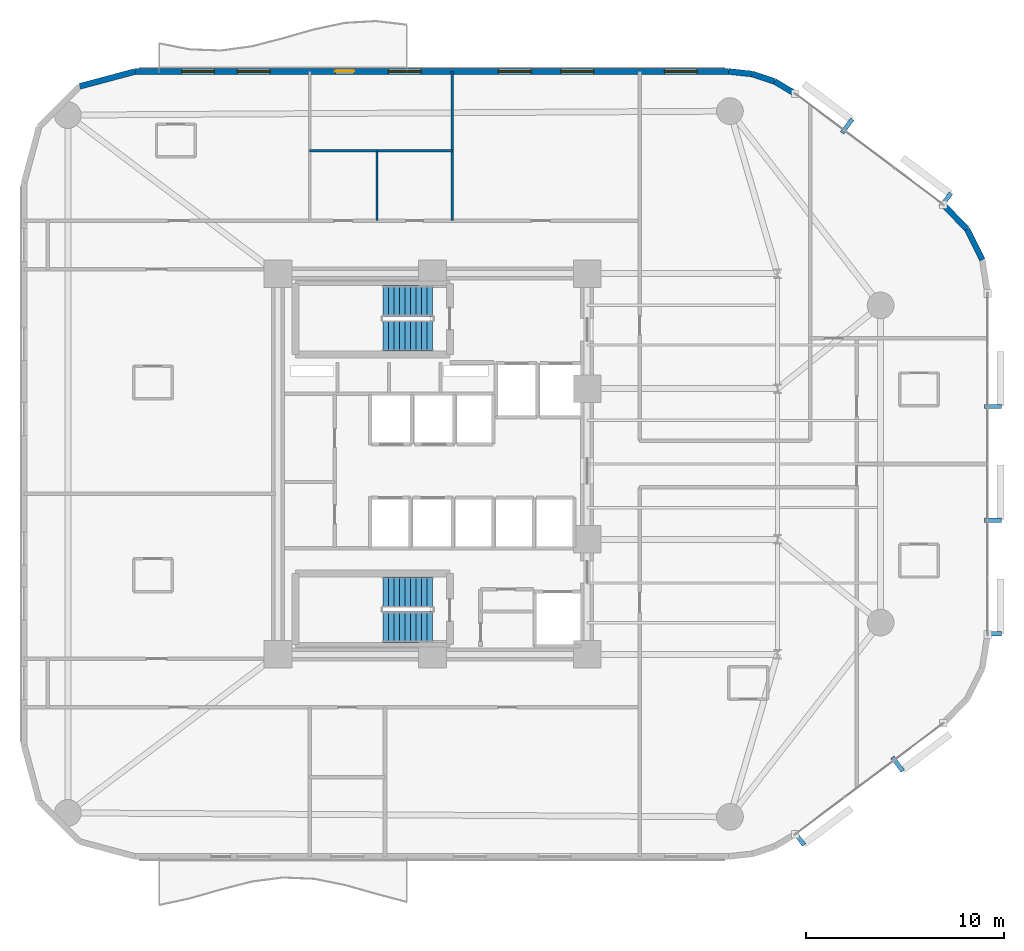
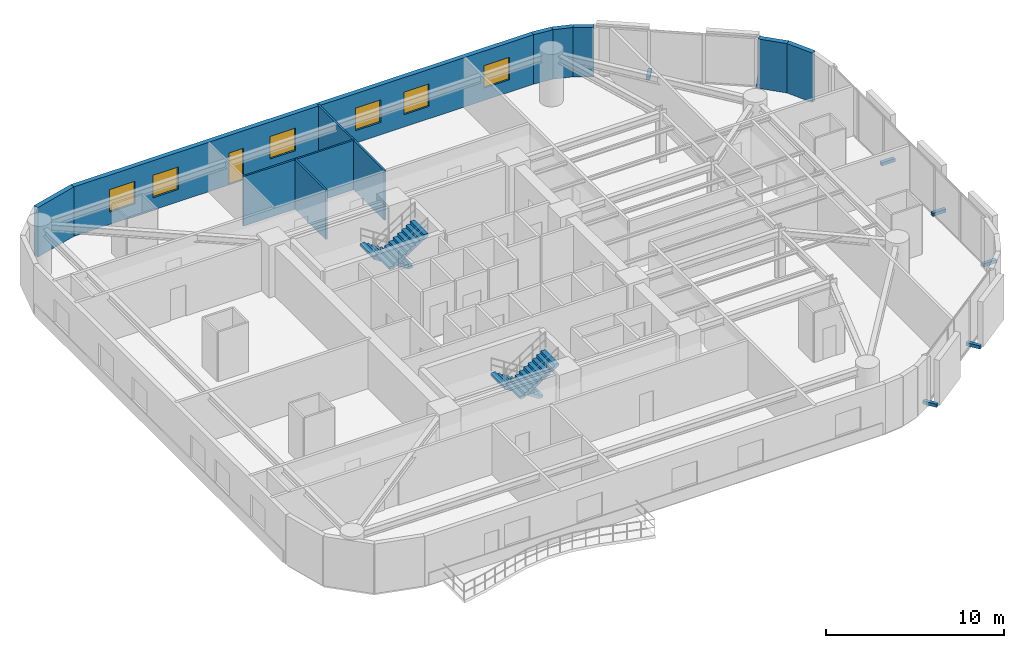
# One storey, part 13 of 16: 10 walls, 7 discrete accessories, 6 windows, 4 stair flights, 1 door, 7 openings, 2 elements without a shape of their own.
"""IFC4 building model written with IfcOpenShell, lengths in metres."""

from ifc_helpers import new_model, si_unit, direction, frame, frame_2d, origin, origin_2d, place, context, subcontext, project, spatial, polyline, rectangle, outline, extrude, material, layer, layer_set, type_object, element, fill, aggregate, save


model = new_model("IFC4")

# Units and contexts
model_context = context("Model", 3, precision=1e-05, world=origin(), true_north=direction((0.0, 1.0)))
body_context = subcontext(model_context, "Body", "Model", "MODEL_VIEW")
ifc_project = project(units=[si_unit("LENGTHUNIT", "METRE"), si_unit("AREAUNIT", "SQUARE_METRE"), si_unit("VOLUMEUNIT", "CUBIC_METRE"), si_unit("PLANEANGLEUNIT", "RADIAN"), si_unit("MASSUNIT", "GRAM", prefix="KILO")], contexts=[model_context])

# Site, building, storey
site_placement = place(None, origin())
site = spatial("IfcSite", under=ifc_project, at=site_placement, CompositionType="ELEMENT")
building_placement = place(site_placement, origin())
building = spatial("IfcBuilding", under=site, at=building_placement, Name="An Khanh Terracotta Commons", CompositionType="ELEMENT")
storey_placement = place(building_placement, frame((0.0, 0.0, 100.699951171875)))
storey = spatial("IfcBuildingStorey", under=building, at=storey_placement, Name="L26", CompositionType="ELEMENT", Elevation=100.699951171875)

# Walls
ifc_material_1 = material(Name="Precast concrete C40/50", Category="concrete")
ifc_layer_1 = layer(ifc_material_1, 0.300048828125, Name="Precast concrete C40/50")
ifc_layer_set_1 = layer_set([ifc_layer_1], Name="Precast concrete C40/50")
wall_type_1 = type_object("IfcWallType", Name="WALL-EXT-300", PredefinedType="SOLIDWALL", material=ifc_layer_set_1)
for number, where, z_axis, x_axis, name in (
    (1, (57.135009765625, 34.303955078125, 0.0), (0.0, 0.0, 1.0), (-0.4472135955, 0.894427191, 0.0), "L26 Insulated Terracotta Exterior Wall 14"),
    (2, (56.364013671875, 35.845947265625, 0.0), (0.0, 0.0, 1.0), (-0.6983450845, 0.715761233201, 0.0), "L26 Insulated Terracotta Exterior Wall 15"),
):
    element("IfcWall", number, at=place(storey_placement, frame(where, z_axis=z_axis, x_axis=x_axis)), inside=storey, type_object=wall_type_1, Name=name, PredefinedType="SOLIDWALL", context=body_context, shape_type="SweptSolid", body=[
        extrude(rectangle(XDim=1.72412109375, YDim=0.300048828125, at=frame_2d((0.862060546875, 0.0))), origin(), (0.0, 0.0, 1.0), 3.400146484375),
    ])
wall_1_placement = place(storey_placement, frame((47.693115234375, 42.679931640625, 0.0), z_axis=(0.0, 0.0, 1.0), x_axis=(-0.859320591642, 0.511437308749, 0.0)))
element("IfcWall", 3, at=wall_1_placement, inside=storey, type_object=wall_type_1, Name="L26 Insulated Terracotta Exterior Wall 17", PredefinedType="SOLIDWALL", context=body_context, shape_type="SweptSolid", body=[
    extrude(rectangle(XDim=1.19873046875, YDim=0.300048828125, at=frame_2d((0.599365234375, 0.0))), origin(), (0.0, 0.0, 1.0), 3.400146484375),
])
wall_2_placement = place(storey_placement, frame((46.6630859375, 43.29296875, 0.0), z_axis=(0.0, 0.0, 1.0), x_axis=(-0.948744332129, 0.316044604847, 0.0)))
element("IfcWall", 4, at=wall_2_placement, inside=storey, type_object=wall_type_1, Name="L26 Insulated Terracotta Exterior Wall 18", PredefinedType="SOLIDWALL", context=body_context, shape_type="SweptSolid", body=[
    extrude(rectangle(XDim=1.19970703125, YDim=0.300048828125, at=frame_2d((0.599853515625, 0.0))), origin(), (0.0, 0.0, 1.0), 3.400146484375),
])
wall_3_placement = place(storey_placement, frame((45.52490234375, 43.672119140625, 0.0), z_axis=(0.0, 0.0, 1.0), x_axis=(-0.994289103787, 0.106720092254, 0.0)))
element("IfcWall", 5, at=wall_3_placement, inside=storey, type_object=wall_type_1, Name="L26 Insulated Terracotta Exterior Wall 19", PredefinedType="SOLIDWALL", context=body_context, shape_type="SweptSolid", body=[
    extrude(rectangle(XDim=1.19873046875, YDim=0.300048828125, at=frame_2d((0.599365234375, 0.0))), origin(), (0.0, 0.0, 1.0), 3.400146484375),
])

# Wall, openings, door, windows
wall_4_placement = place(storey_placement, frame((44.3330078125, 43.800048828125, 0.0), z_axis=(0.0, 0.0, 1.0), x_axis=(-1.0, 0.0, 0.0)))
wall_4 = element("IfcWall", 6, at=wall_4_placement, inside=storey, type_object=wall_type_1, Name="L26 Insulated Terracotta Exterior Wall 20", PredefinedType="SOLIDWALL", context=body_context, shape_type="SweptSolid", body=[
    extrude(rectangle(XDim=29.93310546875, YDim=0.300048828125, at=frame_2d((14.966552734375, 0.0))), origin(), (0.0, 0.0, 1.0), 3.400146484375),
])
opening_1_placement = place(wall_4_placement, frame((18.883056640625, 0.0, 0.0)))
opening_1 = element("IfcOpeningElement", 7, at=opening_1_placement, cuts=wall_4, Name="Opening D-BAL", PredefinedType="OPENING", context=body_context, shape_type="SweptSolid", body=[
    extrude(rectangle(XDim=0.949951171875, YDim=2.199951171875, at=frame_2d((0.47509765625, 1.10009765625))), frame((0.0, 0.159912109375, 0.0), z_axis=(0.0, -1.0, 0.0), x_axis=(1.0, 0.0, 0.0)), (0.0, 0.0, 1.0), 0.320068359375),
])
opening_2_placement = place(wall_4_placement, frame((1.591064453125, 0.0, 0.85009765625)))
opening_2 = element("IfcOpeningElement", 8, at=opening_2_placement, cuts=wall_4, Name="Opening W-02", PredefinedType="OPENING", context=body_context, shape_type="SweptSolid", body=[
    extrude(rectangle(XDim=1.64990234375, YDim=1.550048828125, at=frame_2d((0.824951171875, 0.77490234375))), frame((0.0, 0.159912109375, 0.0), z_axis=(0.0, -1.0, 0.0), x_axis=(1.0, 0.0, 0.0)), (0.0, 0.0, 1.0), 0.320068359375),
])
opening_3_placement = place(wall_4_placement, frame((6.80810546875, 0.0, 0.85009765625)))
opening_3 = element("IfcOpeningElement", 9, at=opening_3_placement, cuts=wall_4, Name="Opening W-02", PredefinedType="OPENING", context=body_context, shape_type="SweptSolid", body=[
    extrude(rectangle(XDim=1.64990234375, YDim=1.550048828125, at=frame_2d((0.824951171875, 0.77490234375))), frame((0.0, 0.159912109375, 0.0), z_axis=(0.0, -1.0, 0.0), x_axis=(1.0, 0.0, 0.0)), (0.0, 0.0, 1.0), 0.320068359375),
])
opening_4_placement = place(wall_4_placement, frame((9.9580078125, 0.0, 0.85009765625)))
opening_4 = element("IfcOpeningElement", 10, at=opening_4_placement, cuts=wall_4, Name="Opening W-02", PredefinedType="OPENING", context=body_context, shape_type="SweptSolid", body=[
    extrude(rectangle(XDim=1.64990234375, YDim=1.550048828125, at=frame_2d((0.824951171875, 0.77490234375))), frame((0.0, 0.159912109375, 0.0), z_axis=(0.0, -1.0, 0.0), x_axis=(1.0, 0.0, 0.0)), (0.0, 0.0, 1.0), 0.320068359375),
])
opening_5_placement = place(wall_4_placement, frame((15.508056640625, 0.0, 0.85009765625)))
opening_5 = element("IfcOpeningElement", 11, at=opening_5_placement, cuts=wall_4, Name="Opening W-02", PredefinedType="OPENING", context=body_context, shape_type="SweptSolid", body=[
    extrude(rectangle(XDim=1.64990234375, YDim=1.550048828125, at=frame_2d((0.824951171875, 0.77490234375))), frame((0.0, 0.159912109375, 0.0), z_axis=(0.0, -1.0, 0.0), x_axis=(1.0, 0.0, 0.0)), (0.0, 0.0, 1.0), 0.320068359375),
])
opening_6_placement = place(wall_4_placement, frame((23.125, 0.0, 0.85009765625)))
opening_6 = element("IfcOpeningElement", 12, at=opening_6_placement, cuts=wall_4, Name="Opening W-02", PredefinedType="OPENING", context=body_context, shape_type="SweptSolid", body=[
    extrude(rectangle(XDim=1.64990234375, YDim=1.550048828125, at=frame_2d((0.824951171875, 0.77490234375))), frame((0.0, 0.159912109375, 0.0), z_axis=(0.0, -1.0, 0.0), x_axis=(1.0, 0.0, 0.0)), (0.0, 0.0, 1.0), 0.320068359375),
])
opening_7_placement = place(wall_4_placement, frame((25.94091796875, 0.0, 0.85009765625)))
opening_7 = element("IfcOpeningElement", 13, at=opening_7_placement, cuts=wall_4, Name="Opening W-02", PredefinedType="OPENING", context=body_context, shape_type="SweptSolid", body=[
    extrude(rectangle(XDim=1.64990234375, YDim=1.550048828125, at=frame_2d((0.824951171875, 0.77490234375))), frame((0.0, 0.159912109375, 0.0), z_axis=(0.0, -1.0, 0.0), x_axis=(1.0, 0.0, 0.0)), (0.0, 0.0, 1.0), 0.320068359375),
])
ifc_material_2 = material(Name="Thermally Broken Aluminium and Low-E Glass", Category="aluminium")
door_type = type_object("IfcDoorType", Name="DOOR-BALC-950", OperationType="NOTDEFINED", PredefinedType="DOOR", material=ifc_material_2)
door_placement = place(opening_1_placement, origin())
door = element("IfcDoor", 14, at=door_placement, inside=storey, type_object=door_type, Name="L26 N Wave Balcony Glazed Door", OperationType="SINGLE_SWING_RIGHT", OverallHeight=2.199951171875, OverallWidth=0.949951171875, PredefinedType="DOOR", context=body_context, shape_type="SweptSolid", body=[
    extrude(rectangle(XDim=0.949951171875, YDim=2.199951171875, at=frame_2d((0.47509765625, 1.10009765625))), frame((0.0, 0.02490234375, 0.0), z_axis=(0.0, -1.0, 0.0), x_axis=(1.0, 0.0, 0.0)), (0.0, 0.0, 1.0), 0.050048828125),
])
fill(opening_1, door)
window_type = type_object("IfcWindowType", Name="WIN-Z2-1650x1550", PartitioningType="DOUBLE_PANEL_VERTICAL", PredefinedType="WINDOW", material=ifc_material_2)
window_1_placement = place(opening_2_placement, origin())
window_1 = element("IfcWindow", 15, at=window_1_placement, inside=storey, type_object=window_type, Name="L26 Operable Casement Window 20.1", OverallHeight=1.550048828125, OverallWidth=1.64990234375, PartitioningType="DOUBLE_PANEL_VERTICAL", PredefinedType="WINDOW", context=body_context, shape_type="SweptSolid", body=[
    extrude(rectangle(XDim=1.64990234375, YDim=1.550048828125, at=frame_2d((0.824951171875, 0.77490234375))), frame((0.0, 0.030029296875, 0.0), z_axis=(0.0, -1.0, 0.0), x_axis=(1.0, 0.0, 0.0)), (0.0, 0.0, 1.0), 0.06005859375),
])
fill(opening_2, window_1)
window_2_placement = place(opening_3_placement, origin())
window_2 = element("IfcWindow", 16, at=window_2_placement, inside=storey, type_object=window_type, Name="L26 Operable Casement Window 20.2", OverallHeight=1.550048828125, OverallWidth=1.64990234375, PartitioningType="DOUBLE_PANEL_VERTICAL", PredefinedType="WINDOW", context=body_context, shape_type="SweptSolid", body=[
    extrude(rectangle(XDim=1.64990234375, YDim=1.550048828125, at=frame_2d((0.824951171875, 0.77490234375))), frame((0.0, 0.030029296875, 0.0), z_axis=(0.0, -1.0, 0.0), x_axis=(1.0, 0.0, 0.0)), (0.0, 0.0, 1.0), 0.06005859375),
])
fill(opening_3, window_2)
window_3_placement = place(opening_4_placement, origin())
window_3 = element("IfcWindow", 17, at=window_3_placement, inside=storey, type_object=window_type, Name="L26 Operable Casement Window 20.3", OverallHeight=1.550048828125, OverallWidth=1.64990234375, PartitioningType="DOUBLE_PANEL_VERTICAL", PredefinedType="WINDOW", context=body_context, shape_type="SweptSolid", body=[
    extrude(rectangle(XDim=1.64990234375, YDim=1.550048828125, at=frame_2d((0.824951171875, 0.77490234375))), frame((0.0, 0.030029296875, 0.0), z_axis=(0.0, -1.0, 0.0), x_axis=(1.0, 0.0, 0.0)), (0.0, 0.0, 1.0), 0.06005859375),
])
fill(opening_4, window_3)
window_4_placement = place(opening_5_placement, origin())
window_4 = element("IfcWindow", 18, at=window_4_placement, inside=storey, type_object=window_type, Name="L26 Operable Casement Window 20.4", OverallHeight=1.550048828125, OverallWidth=1.64990234375, PartitioningType="DOUBLE_PANEL_VERTICAL", PredefinedType="WINDOW", context=body_context, shape_type="SweptSolid", body=[
    extrude(rectangle(XDim=1.64990234375, YDim=1.550048828125, at=frame_2d((0.824951171875, 0.77490234375))), frame((0.0, 0.030029296875, 0.0), z_axis=(0.0, -1.0, 0.0), x_axis=(1.0, 0.0, 0.0)), (0.0, 0.0, 1.0), 0.06005859375),
])
fill(opening_5, window_4)
window_5_placement = place(opening_6_placement, origin())
window_5 = element("IfcWindow", 19, at=window_5_placement, inside=storey, type_object=window_type, Name="L26 Operable Casement Window 20.5", OverallHeight=1.550048828125, OverallWidth=1.64990234375, PartitioningType="DOUBLE_PANEL_VERTICAL", PredefinedType="WINDOW", context=body_context, shape_type="SweptSolid", body=[
    extrude(rectangle(XDim=1.64990234375, YDim=1.550048828125, at=frame_2d((0.824951171875, 0.77490234375))), frame((0.0, 0.030029296875, 0.0), z_axis=(0.0, -1.0, 0.0), x_axis=(1.0, 0.0, 0.0)), (0.0, 0.0, 1.0), 0.06005859375),
])
fill(opening_6, window_5)
window_6_placement = place(opening_7_placement, origin())
window_6 = element("IfcWindow", 20, at=window_6_placement, inside=storey, type_object=window_type, Name="L26 Operable Casement Window 20.6", OverallHeight=1.550048828125, OverallWidth=1.64990234375, PartitioningType="DOUBLE_PANEL_VERTICAL", PredefinedType="WINDOW", context=body_context, shape_type="SweptSolid", body=[
    extrude(rectangle(XDim=1.64990234375, YDim=1.550048828125, at=frame_2d((0.824951171875, 0.77490234375))), frame((0.0, 0.030029296875, 0.0), z_axis=(0.0, -1.0, 0.0), x_axis=(1.0, 0.0, 0.0)), (0.0, 0.0, 1.0), 0.06005859375),
])
fill(opening_7, window_6)

# Walls
wall_5_placement = place(storey_placement, frame((14.39990234375, 43.800048828125, 0.0), z_axis=(0.0, 0.0, 1.0), x_axis=(-0.965943540406, -0.258752926066, 0.0)))
element("IfcWall", 21, at=wall_5_placement, inside=storey, type_object=wall_type_1, Name="L26 Insulated Terracotta Exterior Wall 21", PredefinedType="SOLIDWALL", context=body_context, shape_type="SweptSolid", body=[
    extrude(rectangle(XDim=2.8984375, YDim=0.300048828125, at=frame_2d((1.44921875, 0.0))), origin(), (0.0, 0.0, 1.0), 3.400146484375),
])
ifc_material_3 = material(Name="Moisture-Resistant Cement Board Partition")
ifc_layer_2 = layer(ifc_material_3, 0.1201171875, Name="Moisture-Resistant Cement Board Partition")
ifc_layer_set_2 = layer_set([ifc_layer_2], Name="Moisture-Resistant Cement Board Partition")
wall_type_2 = type_object("IfcWallType", Name="WALL-WET-120", PredefinedType="PARTITIONING", material=ifc_layer_set_2)
wall_6_placement = place(storey_placement, frame((23.199951171875, 39.800048828125, 0.0), z_axis=(0.0, 0.0, 1.0), x_axis=(1.0, 0.0, 0.0)))
element("IfcWall", 22, at=wall_6_placement, inside=storey, type_object=wall_type_2, Name="L26 Interior Partition IW-L26-E011", PredefinedType="PARTITIONING", context=body_context, shape_type="SweptSolid", body=[
    extrude(rectangle(XDim=7.199951171875, YDim=0.1201171875, at=frame_2d((3.60009765625, 0.0))), origin(), (0.0, 0.0, 1.0), 3.400146484375),
])
wall_7_placement = place(storey_placement, frame((26.60009765625, 36.280029296875, 0.0), z_axis=(0.0, 0.0, 1.0), x_axis=(0.0, 1.0, 0.0)))
element("IfcWall", 23, at=wall_7_placement, inside=storey, type_object=wall_type_2, Name="L26 Interior Partition IW-L26-E016", PredefinedType="PARTITIONING", context=body_context, shape_type="SweptSolid", body=[
    extrude(rectangle(XDim=3.52001953125, YDim=0.1201171875, at=frame_2d((1.760009765625, 0.0))), origin(), (0.0, 0.0, 1.0), 3.400146484375),
])
wall_8_placement = place(storey_placement, frame((30.39990234375, 36.280029296875, 0.0), z_axis=(0.0, 0.0, 1.0), x_axis=(0.0, 1.0, 0.0)))
element("IfcWall", 24, at=wall_8_placement, inside=storey, type_object=wall_type_2, Name="L26 Interior Partition IW-L26-E018", PredefinedType="PARTITIONING", context=body_context, shape_type="SweptSolid", body=[
    extrude(rectangle(XDim=7.52001953125, YDim=0.1201171875, at=frame_2d((3.760009765625, 0.0))), origin(), (0.0, 0.0, 1.0), 3.400146484375),
])

# Stair, stair flights
stair_type = type_object("IfcStairType", Name="STAIR-CORE-1550", PredefinedType="HALF_TURN_STAIR", material=ifc_material_1)
stair_1_placement = place(storey_placement, origin())
stair_1 = element("IfcStair", 25, at=stair_1_placement, inside=storey, type_object=stair_type, Name="L26 Core Smokeproof Exit Stair ST-01", PredefinedType="HALF_TURN_STAIR")
stair_flight_type = type_object("IfcStairFlightType", Name="FLIGHT-CORE-1550", PredefinedType="STRAIGHT", material=ifc_material_1)
stair_flight_1_placement = place(storey_placement, frame((29.409912109375, 32.22509765625, 0.0), z_axis=(0.0, 0.0, 1.0), x_axis=(-1.0, 0.0, 0.0)))
stair_flight_1 = element("IfcStairFlight", 26, at=stair_flight_1_placement, type_object=stair_flight_type, Name="ST-01 flight 1", NumberOfRisers=10, NumberOfTreads=9, PredefinedType="STRAIGHT", RiserHeight=0.18, TreadLength=0.28, context=body_context, shape_type="SweptSolid", body=[
    extrude(outline(polyline([(0.0, 0.0), (0.0, 0.179931640625), (0.280029296875, 0.179931640625), (0.280029296875, 0.360107421875), (0.56005859375, 0.360107421875), (0.56005859375, 0.5400390625), (0.840087890625, 0.5400390625), (0.840087890625, 0.719970703125), (1.1201171875, 0.719970703125), (1.1201171875, 0.89990234375), (1.39990234375, 0.89990234375), (1.39990234375, 1.080078125), (1.679931640625, 1.080078125), (1.679931640625, 1.260009765625), (1.9599609375, 1.260009765625), (1.9599609375, 1.43994140625), (2.239990234375, 1.43994140625), (2.239990234375, 1.6201171875), (2.52001953125, 1.6201171875), (2.52001953125, 1.800048828125), (2.52001953125, 1.44189453125), (0.277099609375, 0.0), (0.0, 0.0)])), frame((0.0, 0.77490234375, 0.0), z_axis=(0.0, -1.0, 0.0), x_axis=(1.0, 0.0, 0.0)), (0.0, 0.0, 1.0), 1.550048828125),
])
stair_flight_2_placement = place(storey_placement, frame((26.889892578125, 30.47509765625, 1.800048828125), z_axis=(0.0, 0.0, 1.0), x_axis=(1.0, 0.0, 0.0)))
stair_flight_2 = element("IfcStairFlight", 27, at=stair_flight_2_placement, type_object=stair_flight_type, Name="ST-01 flight 2", NumberOfRisers=10, NumberOfTreads=9, PredefinedType="STRAIGHT", RiserHeight=0.18, TreadLength=0.28, context=body_context, shape_type="SweptSolid", body=[
    extrude(outline(polyline([(0.0, 0.0), (0.0, 0.179931640625), (0.280029296875, 0.179931640625), (0.280029296875, 0.360107421875), (0.56005859375, 0.360107421875), (0.56005859375, 0.5400390625), (0.840087890625, 0.5400390625), (0.840087890625, 0.719970703125), (1.1201171875, 0.719970703125), (1.1201171875, 0.89990234375), (1.39990234375, 0.89990234375), (1.39990234375, 1.080078125), (1.679931640625, 1.080078125), (1.679931640625, 1.260009765625), (1.9599609375, 1.260009765625), (1.9599609375, 1.43994140625), (2.239990234375, 1.43994140625), (2.239990234375, 1.6201171875), (2.52001953125, 1.6201171875), (2.52001953125, 1.800048828125), (2.52001953125, 1.44189453125), (0.277099609375, 0.0), (0.0, 0.0)])), frame((0.0, 0.77490234375, 0.0), z_axis=(0.0, -1.0, 0.0), x_axis=(1.0, 0.0, 0.0)), (0.0, 0.0, 1.0), 1.550048828125),
])
aggregate(stair_1, [stair_flight_1, stair_flight_2])

stair_2_placement = place(storey_placement, origin())
stair_2 = element("IfcStair", 28, at=stair_2_placement, inside=storey, type_object=stair_type, Name="L26 Core Smokeproof Exit Stair ST-02", PredefinedType="HALF_TURN_STAIR")
stair_flight_3_placement = place(storey_placement, frame((29.409912109375, 17.52490234375, 0.0), z_axis=(0.0, 0.0, 1.0), x_axis=(-1.0, 0.0, 0.0)))
stair_flight_3 = element("IfcStairFlight", 29, at=stair_flight_3_placement, type_object=stair_flight_type, Name="ST-02 flight 1", NumberOfRisers=10, NumberOfTreads=9, PredefinedType="STRAIGHT", RiserHeight=0.18, TreadLength=0.28, context=body_context, shape_type="SweptSolid", body=[
    extrude(outline(polyline([(0.0, 0.0), (0.0, 0.179931640625), (0.280029296875, 0.179931640625), (0.280029296875, 0.360107421875), (0.56005859375, 0.360107421875), (0.56005859375, 0.5400390625), (0.840087890625, 0.5400390625), (0.840087890625, 0.719970703125), (1.1201171875, 0.719970703125), (1.1201171875, 0.89990234375), (1.39990234375, 0.89990234375), (1.39990234375, 1.080078125), (1.679931640625, 1.080078125), (1.679931640625, 1.260009765625), (1.9599609375, 1.260009765625), (1.9599609375, 1.43994140625), (2.239990234375, 1.43994140625), (2.239990234375, 1.6201171875), (2.52001953125, 1.6201171875), (2.52001953125, 1.800048828125), (2.52001953125, 1.44189453125), (0.277099609375, 0.0), (0.0, 0.0)])), frame((0.0, 0.77490234375, 0.0), z_axis=(0.0, -1.0, 0.0), x_axis=(1.0, 0.0, 0.0)), (0.0, 0.0, 1.0), 1.550048828125),
])
stair_flight_4_placement = place(storey_placement, frame((26.889892578125, 15.77490234375, 1.800048828125), z_axis=(0.0, 0.0, 1.0), x_axis=(1.0, 0.0, 0.0)))
stair_flight_4 = element("IfcStairFlight", 30, at=stair_flight_4_placement, type_object=stair_flight_type, Name="ST-02 flight 2", NumberOfRisers=10, NumberOfTreads=9, PredefinedType="STRAIGHT", RiserHeight=0.18, TreadLength=0.28, context=body_context, shape_type="SweptSolid", body=[
    extrude(outline(polyline([(0.0, 0.0), (0.0, 0.179931640625), (0.280029296875, 0.179931640625), (0.280029296875, 0.360107421875), (0.56005859375, 0.360107421875), (0.56005859375, 0.5400390625), (0.840087890625, 0.5400390625), (0.840087890625, 0.719970703125), (1.1201171875, 0.719970703125), (1.1201171875, 0.89990234375), (1.39990234375, 0.89990234375), (1.39990234375, 1.080078125), (1.679931640625, 1.080078125), (1.679931640625, 1.260009765625), (1.9599609375, 1.260009765625), (1.9599609375, 1.43994140625), (2.239990234375, 1.43994140625), (2.239990234375, 1.6201171875), (2.52001953125, 1.6201171875), (2.52001953125, 1.800048828125), (2.52001953125, 1.44189453125), (0.277099609375, 0.0), (0.0, 0.0)])), frame((0.0, 0.77490234375, 0.0), z_axis=(0.0, -1.0, 0.0), x_axis=(1.0, 0.0, 0.0)), (0.0, 0.0, 1.0), 1.550048828125),
])
aggregate(stair_2, [stair_flight_3, stair_flight_4])

# Discrete accessories
ifc_material_4 = material(Name="Stainless Steel Grade 316L", Category="steel")
discrete_accessory_type = type_object("IfcDiscreteAccessoryType", Name="Stainless Outrigger Facade Bracket", PredefinedType="BRACKET", material=ifc_material_4)
for number, where, z_axis, x_axis, name in (
    (31, (47.8798828125, 5.12890625, 0.06982421875), (0.0, 0.0, 1.0), (0.800012856594, 0.599982857492, 0.0), "L26 Terracotta Screen Outrigger Bracket 1"),
    (32, (52.85791015625, 8.862060546875, 0.06982421875), (0.0, 0.0, 1.0), (0.800012856594, 0.599982857492, 0.0), "L26 Terracotta Screen Outrigger Bracket 3"),
    (33, (57.6650390625, 15.43505859375, 0.06982421875), (0.0, 0.0, 1.0), (0.0, 1.0, 0.0), "L26 Terracotta Screen Outrigger Bracket 1"),
    (34, (57.6650390625, 21.16796875, 0.06982421875), (0.0, 0.0, 1.0), (0.0, 1.0, 0.0), "L26 Terracotta Screen Outrigger Bracket 3"),
    (35, (57.6650390625, 26.902099609375, 0.06982421875), (0.0, 0.0, 1.0), (0.0, 1.0, 0.0), "L26 Terracotta Screen Outrigger Bracket 5"),
    (36, (55.291015625, 37.31298828125, 0.06982421875), (0.0, 0.0, 1.0), (-0.800012856594, 0.599982857492, 0.0), "L26 Terracotta Screen Outrigger Bracket 1"),
    (37, (50.31298828125, 41.0458984375, 0.06982421875), (0.0, 0.0, 1.0), (-0.800012856594, 0.599982857492, 0.0), "L26 Terracotta Screen Outrigger Bracket 3"),
):
    element("IfcDiscreteAccessory", number, at=place(storey_placement, frame(where, z_axis=z_axis, x_axis=x_axis)), inside=storey, type_object=discrete_accessory_type, Name=name, PredefinedType="BRACKET", context=body_context, shape_type="SweptSolid", body=[
        extrude(rectangle(XDim=0.219970703125, YDim=0.8701171875, at=origin_2d()), origin(), (0.0, 0.0, 1.0), 0.219970703125),
    ])

save(model, "model.ifc")
